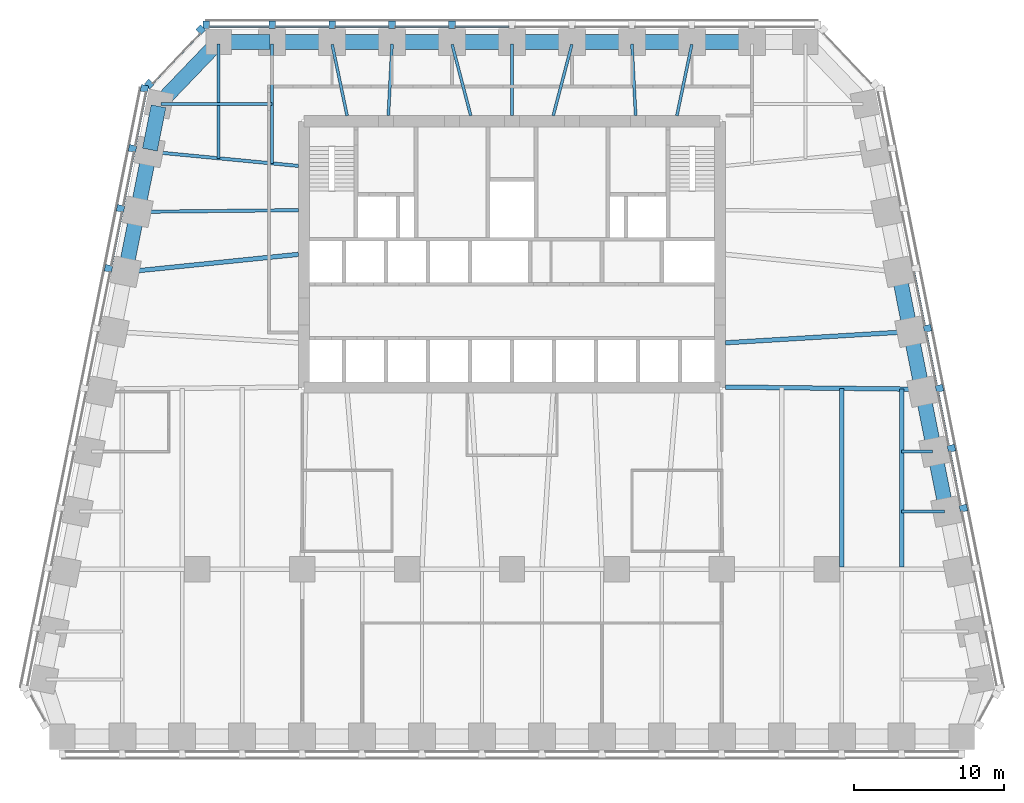
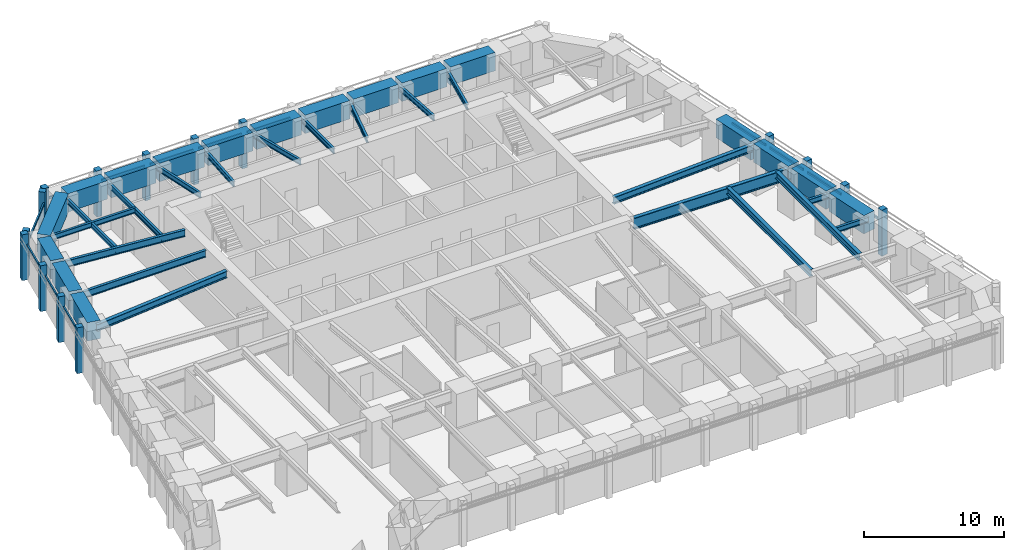
# One storey, part 3 of 9: 36 beams, 28 members, 4 elements without a shape of their own.
"""IFC4 building model written with IfcOpenShell, lengths in metres."""

from ifc_helpers import new_model, si_unit, direction, frame, origin, origin_2d, place, context, subcontext, project, spatial, rectangle, i_section, extrude, material, material_profile, profile_set, type_object, element, aggregate, save


model = new_model("IFC4")

# Units and contexts
model_context = context("Model", 3, precision=1e-05, world=origin(), true_north=direction((0.0, 1.0)))
body_context = subcontext(model_context, "Body", "Model", "MODEL_VIEW")
ifc_project = project(units=[si_unit("LENGTHUNIT", "METRE"), si_unit("AREAUNIT", "SQUARE_METRE"), si_unit("VOLUMEUNIT", "CUBIC_METRE"), si_unit("PLANEANGLEUNIT", "RADIAN"), si_unit("MASSUNIT", "GRAM", prefix="KILO")], contexts=[model_context])

# Site, building, storey
site_placement = place(None, origin())
site = spatial("IfcSite", under=ifc_project, at=site_placement, CompositionType="ELEMENT")
building_placement = place(site_placement, origin())
building = spatial("IfcBuilding", under=site, at=building_placement, Name="Isbrekke Arena Tower", CompositionType="ELEMENT")
storey_placement = place(building_placement, frame((0.0, 0.0, 135.0)))
storey = spatial("IfcBuildingStorey", under=building, at=storey_placement, Name="L30", CompositionType="ELEMENT", Elevation=135.0)

# Beams
ifc_material_1 = material(Name="Steel S355", Category="steel")
ifc_material_profile_1 = material_profile(ifc_material_1, i_section(OverallWidth=0.219970703125, OverallDepth=0.60009765625, WebThickness=0.011962890625, FlangeThickness=0.01904296875, FilletRadius=0.02392578125, at=origin_2d()), Name="IPE 600")
ifc_profile_set_1 = profile_set([ifc_material_profile_1], Name="Steel S355")
beam_type_1 = type_object("IfcBeamType", Name="B1 IPE 600", PredefinedType="BEAM", material=ifc_profile_set_1)
beam_1_placement = place(storey_placement, frame((-24.030517578125, 21.837158203125, 3.550048828125), z_axis=(0.995439798606, -0.095391862082, 0.0), x_axis=(0.095391862082, 0.995439798606, 0.0)))
element("IfcBeam", 1, at=beam_1_placement, inside=storey, type_object=beam_type_1, Name="B1 beam E-W02 L30", PredefinedType="BEAM", context=body_context, shape_type="SweptSolid", body=[
    extrude(i_section(OverallWidth=0.219970703125, OverallDepth=0.60009765625, WebThickness=0.011962890625, FlangeThickness=0.01904296875, FilletRadius=0.02392578125, at=origin_2d()), origin(), (0.0, 0.0, 1.0), 9.825439453125),
])
beam_2_placement = place(storey_placement, frame((-24.83984375, 17.838134765625, 3.550048828125), z_axis=(0.999944260169, 0.010558245831, 0.0), x_axis=(-0.010558245831, 0.999944260169, 0.0)))
element("IfcBeam", 2, at=beam_2_placement, inside=storey, type_object=beam_type_1, Name="B1 beam E-W03 L30", PredefinedType="BEAM", context=body_context, shape_type="SweptSolid", body=[
    extrude(i_section(OverallWidth=0.219970703125, OverallDepth=0.60009765625, WebThickness=0.011962890625, FlangeThickness=0.01904296875, FilletRadius=0.02392578125, at=origin_2d()), origin(), (0.0, 0.0, 1.0), 10.59033203125),
])
ifc_material_2 = material(Name="Steel S355", Category="steel")
ifc_material_profile_2 = material_profile(ifc_material_2, i_section(OverallWidth=0.18994140625, OverallDepth=0.449951171875, WebThickness=0.009521484375, FlangeThickness=0.0146484375, FilletRadius=0.02099609375, at=origin_2d()), Name="IPE 450")
ifc_profile_set_2 = profile_set([ifc_material_profile_2], Name="Steel S355")
beam_type_2 = type_object("IfcBeamType", Name="B2 IPE 450", PredefinedType="BEAM", material=ifc_profile_set_2)
beam_3_placement = place(storey_placement, frame((28.841064453125, -2.161865234375, 3.625), z_axis=(-1.0, 0.0, 0.0), x_axis=(0.0, -1.0, 0.0)))
element("IfcBeam", 3, at=beam_3_placement, inside=storey, type_object=beam_type_2, Name="B2 beam E-E04 L30", PredefinedType="BEAM", context=body_context, shape_type="SweptSolid", body=[
    extrude(i_section(OverallWidth=0.18994140625, OverallDepth=0.449951171875, WebThickness=0.009521484375, FlangeThickness=0.0146484375, FilletRadius=0.02099609375, at=origin_2d()), origin(), (0.0, 0.0, 1.0), 2.841064453125),
])
beam_4_placement = place(storey_placement, frame((28.041015625, 1.838134765625, 3.625), z_axis=(-1.0, 0.0, 0.0), x_axis=(0.0, -1.0, 0.0)))
element("IfcBeam", 4, at=beam_4_placement, inside=storey, type_object=beam_type_2, Name="B2 beam E-E05 L30", PredefinedType="BEAM", context=body_context, shape_type="SweptSolid", body=[
    extrude(i_section(OverallWidth=0.18994140625, OverallDepth=0.449951171875, WebThickness=0.009521484375, FlangeThickness=0.0146484375, FilletRadius=0.02099609375, at=origin_2d()), origin(), (0.0, 0.0, 1.0), 2.041015625),
])
beam_5_placement = place(storey_placement, frame((-23.40283203125, 25.029296875, 3.625), z_axis=(1.0, 0.0, 0.0), x_axis=(0.0, 1.0, 0.0)))
element("IfcBeam", 5, at=beam_5_placement, inside=storey, type_object=beam_type_2, Name="B2 beam E-W01 L30", PredefinedType="BEAM", context=body_context, shape_type="SweptSolid", body=[
    extrude(i_section(OverallWidth=0.18994140625, OverallDepth=0.449951171875, WebThickness=0.009521484375, FlangeThickness=0.0146484375, FilletRadius=0.02099609375, at=origin_2d()), origin(), (0.0, 0.0, 1.0), 7.40283203125),
])
ifc_material_3 = material(Name="Steel S355", Category="steel")
ifc_material_profile_3 = material_profile(ifc_material_3, i_section(OverallWidth=0.18994140625, OverallDepth=0.449951171875, WebThickness=0.009521484375, FlangeThickness=0.0146484375, FilletRadius=0.02099609375, at=origin_2d()), Name="IPE 450")
ifc_profile_set_3 = profile_set([ifc_material_profile_3], Name="Steel S355")
beam_type_3 = type_object("IfcBeamType", Name="B3 IPE 450", PredefinedType="BEAM", material=ifc_profile_set_3)
beam_6_placement = place(storey_placement, frame((-16.0, 29.02490234375, 3.625), z_axis=(0.0, -1.0, 0.0), x_axis=(1.0, 0.0, 0.0)))
element("IfcBeam", 6, at=beam_6_placement, inside=storey, type_object=beam_type_3, Name="B3 beam N-N10 L30", PredefinedType="BEAM", context=body_context, shape_type="SweptSolid", body=[
    extrude(i_section(OverallWidth=0.18994140625, OverallDepth=0.449951171875, WebThickness=0.009521484375, FlangeThickness=0.0146484375, FilletRadius=0.02099609375, at=origin_2d()), origin(), (0.0, 0.0, 1.0), 7.957275390625),
])
beam_7_placement = place(storey_placement, frame((-19.574951171875, 29.02490234375, 3.625), z_axis=(0.0, -1.0, 0.0), x_axis=(1.0, 0.0, 0.0)))
element("IfcBeam", 7, at=beam_7_placement, inside=storey, type_object=beam_type_3, Name="B3 beam N-N11 L30", PredefinedType="BEAM", context=body_context, shape_type="SweptSolid", body=[
    extrude(i_section(OverallWidth=0.18994140625, OverallDepth=0.449951171875, WebThickness=0.009521484375, FlangeThickness=0.0146484375, FilletRadius=0.02099609375, at=origin_2d()), origin(), (0.0, 0.0, 1.0), 7.61474609375),
])
beam_8_placement = place(storey_placement, frame((11.99609375, 29.005859375, 3.625), z_axis=(-0.20499748459, -0.978762499952, 0.0), x_axis=(0.978762499952, -0.20499748459, 0.0)))
element("IfcBeam", 8, at=beam_8_placement, inside=storey, type_object=beam_type_3, Name="B3 beam N-N03 L30", PredefinedType="BEAM", context=body_context, shape_type="SweptSolid", body=[
    extrude(i_section(OverallWidth=0.18994140625, OverallDepth=0.449951171875, WebThickness=0.009521484375, FlangeThickness=0.0146484375, FilletRadius=0.02099609375, at=origin_2d()), origin(), (0.0, 0.0, 1.0), 4.859130859375),
])
beam_9_placement = place(storey_placement, frame((8.000244140625, 29.02001953125, 3.625), z_axis=(0.052287879538, -0.998632053187, 0.0), x_axis=(0.998632053187, 0.052287879538, 0.0)))
element("IfcBeam", 9, at=beam_9_placement, inside=storey, type_object=beam_type_3, Name="B3 beam N-N04 L30", PredefinedType="BEAM", context=body_context, shape_type="SweptSolid", body=[
    extrude(i_section(OverallWidth=0.18994140625, OverallDepth=0.449951171875, WebThickness=0.009521484375, FlangeThickness=0.0146484375, FilletRadius=0.02099609375, at=origin_2d()), origin(), (0.0, 0.0, 1.0), 4.776611328125),
])
beam_10_placement = place(storey_placement, frame((3.993896484375, 29.001708984375, 3.625), z_axis=(-0.253245319824, -0.967402092197, 0.0), x_axis=(0.967402092197, -0.253245319824, 0.0)))
element("IfcBeam", 10, at=beam_10_placement, inside=storey, type_object=beam_type_3, Name="B3 beam N-N05 L30", PredefinedType="BEAM", context=body_context, shape_type="SweptSolid", body=[
    extrude(i_section(OverallWidth=0.18994140625, OverallDepth=0.449951171875, WebThickness=0.009521484375, FlangeThickness=0.0146484375, FilletRadius=0.02099609375, at=origin_2d()), origin(), (0.0, 0.0, 1.0), 4.911865234375),
])
beam_11_placement = place(storey_placement, frame((0.0, 29.02490234375, 3.625), z_axis=(0.0, -1.0, 0.0), x_axis=(1.0, 0.0, 0.0)))
element("IfcBeam", 11, at=beam_11_placement, inside=storey, type_object=beam_type_3, Name="B3 beam N-N06 L30", PredefinedType="BEAM", context=body_context, shape_type="SweptSolid", body=[
    extrude(i_section(OverallWidth=0.18994140625, OverallDepth=0.449951171875, WebThickness=0.009521484375, FlangeThickness=0.0146484375, FilletRadius=0.02099609375, at=origin_2d()), origin(), (0.0, 0.0, 1.0), 4.77490234375),
])
beam_12_placement = place(storey_placement, frame((-3.993896484375, 29.001708984375, 3.625), z_axis=(0.253245319824, -0.967402092197, 0.0), x_axis=(0.967402092197, 0.253245319824, 0.0)))
element("IfcBeam", 12, at=beam_12_placement, inside=storey, type_object=beam_type_3, Name="B3 beam N-N07 L30", PredefinedType="BEAM", context=body_context, shape_type="SweptSolid", body=[
    extrude(i_section(OverallWidth=0.18994140625, OverallDepth=0.449951171875, WebThickness=0.009521484375, FlangeThickness=0.0146484375, FilletRadius=0.02099609375, at=origin_2d()), origin(), (0.0, 0.0, 1.0), 4.911865234375),
])
beam_13_placement = place(storey_placement, frame((-8.000244140625, 29.02001953125, 3.625), z_axis=(-0.052287879538, -0.998632053187, 0.0), x_axis=(0.998632053187, -0.052287879538, 0.0)))
element("IfcBeam", 13, at=beam_13_placement, inside=storey, type_object=beam_type_3, Name="B3 beam N-N08 L30", PredefinedType="BEAM", context=body_context, shape_type="SweptSolid", body=[
    extrude(i_section(OverallWidth=0.18994140625, OverallDepth=0.449951171875, WebThickness=0.009521484375, FlangeThickness=0.0146484375, FilletRadius=0.02099609375, at=origin_2d()), origin(), (0.0, 0.0, 1.0), 4.776611328125),
])
beam_14_placement = place(storey_placement, frame((-11.99609375, 29.005859375, 3.625), z_axis=(0.20499748459, -0.978762499952, 0.0), x_axis=(0.978762499952, 0.20499748459, 0.0)))
element("IfcBeam", 14, at=beam_14_placement, inside=storey, type_object=beam_type_3, Name="B3 beam N-N09 L30", PredefinedType="BEAM", context=body_context, shape_type="SweptSolid", body=[
    extrude(i_section(OverallWidth=0.18994140625, OverallDepth=0.449951171875, WebThickness=0.009521484375, FlangeThickness=0.0146484375, FilletRadius=0.02099609375, at=origin_2d()), origin(), (0.0, 0.0, 1.0), 4.859130859375),
])
ifc_material_4 = material(Name="Steel S355", Category="steel")
ifc_material_profile_4 = material_profile(ifc_material_4, i_section(OverallWidth=0.300048828125, OverallDepth=0.60009765625, WebThickness=0.015380859375, FlangeThickness=0.030029296875, FilletRadius=0.027099609375, at=origin_2d()), Name="HEB 600")
ifc_profile_set_4 = profile_set([ifc_material_profile_4], Name="Steel S355")
beam_type_4 = type_object("IfcBeamType", Name="B7 HEB 600", PredefinedType="BEAM", material=ifc_profile_set_4)
beam_15_placement = place(storey_placement, frame((22.0, -5.84912109375, 3.550048828125), z_axis=(0.0, 1.0, 0.0), x_axis=(-1.0, 0.0, 0.0)))
element("IfcBeam", 15, at=beam_15_placement, inside=storey, type_object=beam_type_4, Name="B7 beam C-M13 L30", PredefinedType="BEAM", context=body_context, shape_type="SweptSolid", body=[
    extrude(i_section(OverallWidth=0.300048828125, OverallDepth=0.60009765625, WebThickness=0.015380859375, FlangeThickness=0.030029296875, FilletRadius=0.027099609375, at=origin_2d()), origin(), (0.0, 0.0, 1.0), 11.91064453125),
])
beam_16_placement = place(storey_placement, frame((26.0, -5.84912109375, 3.550048828125), z_axis=(0.0, 1.0, 0.0), x_axis=(-1.0, 0.0, 0.0)))
element("IfcBeam", 16, at=beam_16_placement, inside=storey, type_object=beam_type_4, Name="B7 beam C-M14 L30", PredefinedType="BEAM", context=body_context, shape_type="SweptSolid", body=[
    extrude(i_section(OverallWidth=0.300048828125, OverallDepth=0.60009765625, WebThickness=0.015380859375, FlangeThickness=0.030029296875, FilletRadius=0.027099609375, at=origin_2d()), origin(), (0.0, 0.0, 1.0), 11.864990234375),
])
beam_17_placement = place(storey_placement, frame((26.431884765625, 9.837646484375, 3.550048828125), z_axis=(-0.998172191876, -0.060434057993, 0.0), x_axis=(0.060434057993, -0.998172191876, 0.0)))
element("IfcBeam", 17, at=beam_17_placement, inside=storey, type_object=beam_type_4, Name="B7 beam E-E07 L30", PredefinedType="BEAM", context=body_context, shape_type="SweptSolid", body=[
    extrude(i_section(OverallWidth=0.300048828125, OverallDepth=0.60009765625, WebThickness=0.015380859375, FlangeThickness=0.030029296875, FilletRadius=0.027099609375, at=origin_2d()), origin(), (0.0, 0.0, 1.0), 12.2041015625),
])
beam_18_placement = place(storey_placement, frame((-25.6259765625, 13.83984375, 3.550048828125), z_axis=(0.994839949319, 0.10145676537, 0.0), x_axis=(-0.10145676537, 0.994839949319, 0.0)))
element("IfcBeam", 18, at=beam_18_placement, inside=storey, type_object=beam_type_4, Name="B7 beam E-W04 L30", PredefinedType="BEAM", context=body_context, shape_type="SweptSolid", body=[
    extrude(i_section(OverallWidth=0.300048828125, OverallDepth=0.60009765625, WebThickness=0.015380859375, FlangeThickness=0.030029296875, FilletRadius=0.027099609375, at=origin_2d()), origin(), (0.0, 0.0, 1.0), 11.43505859375),
])

# Curtain wall, members
ifc_material_5 = material(Name="Glazed aluminium curtain wall", Category="aluminium")
curtain_wall_type = type_object("IfcCurtainWallType", Name="CWM TOWER CURTAIN WALL MID ZONE", PredefinedType="USERDEFINED", material=ifc_material_5)
curtain_wall_1_placement = place(storey_placement, origin())
curtain_wall_1 = element("IfcCurtainWall", 19, at=curtain_wall_1_placement, inside=storey, type_object=curtain_wall_type, Name="CWM curtain wall L30-E", ObjectType="TOWER CURTAIN WALL MID ZONE", PredefinedType="USERDEFINED")
ifc_material_6 = material(Name="Aluminium mullion, pale brick slip cladding", Category="masonry")
ifc_material_profile_5 = material_profile(ifc_material_6, rectangle(XDim=0.449951171875, YDim=0.5, at=origin_2d()), Name="PIER 450X500")
ifc_profile_set_5 = profile_set([ifc_material_profile_5], Name="Aluminium mullion, pale brick slip cladding")
member_type_1 = type_object("IfcMemberType", Name="CWM-M PIER MULLION 450 x 500", PredefinedType="MULLION", material=ifc_profile_set_5)
member_1_placement = place(storey_placement, frame((30.11865234375, -1.936279296875, 0.0), z_axis=(0.0, 0.0, 1.0), x_axis=(-0.196116135138, 0.980580675691, 0.0)))
member_1 = element("IfcMember", 20, at=member_1_placement, type_object=member_type_1, Name="CWM-M mullion 4", PredefinedType="MULLION", context=body_context, shape_type="SweptSolid", body=[
    extrude(rectangle(XDim=0.449951171875, YDim=0.5, at=origin_2d()), origin(), (0.0, 0.0, 1.0), 4.0),
])
member_2_placement = place(storey_placement, frame((29.318603515625, 2.063720703125, 0.0), z_axis=(0.0, 0.0, 1.0), x_axis=(-0.196116135138, 0.980580675691, 0.0)))
member_2 = element("IfcMember", 21, at=member_2_placement, type_object=member_type_1, Name="CWM-M mullion 5", PredefinedType="MULLION", context=body_context, shape_type="SweptSolid", body=[
    extrude(rectangle(XDim=0.449951171875, YDim=0.5, at=origin_2d()), origin(), (0.0, 0.0, 1.0), 4.0),
])
member_3_placement = place(storey_placement, frame((28.518798828125, 6.063720703125, 0.0), z_axis=(0.0, 0.0, 1.0), x_axis=(-0.196116135138, 0.980580675691, 0.0)))
member_3 = element("IfcMember", 22, at=member_3_placement, type_object=member_type_1, Name="CWM-M mullion 6", PredefinedType="MULLION", context=body_context, shape_type="SweptSolid", body=[
    extrude(rectangle(XDim=0.449951171875, YDim=0.5, at=origin_2d()), origin(), (0.0, 0.0, 1.0), 4.0),
])
member_4_placement = place(storey_placement, frame((27.71875, 10.063720703125, 0.0), z_axis=(0.0, 0.0, 1.0), x_axis=(-0.196116135138, 0.980580675691, 0.0)))
member_4 = element("IfcMember", 23, at=member_4_placement, type_object=member_type_1, Name="CWM-M mullion 7", PredefinedType="MULLION", context=body_context, shape_type="SweptSolid", body=[
    extrude(rectangle(XDim=0.449951171875, YDim=0.5, at=origin_2d()), origin(), (0.0, 0.0, 1.0), 4.0),
])

curtain_wall_2_placement = place(storey_placement, origin())
curtain_wall_2 = element("IfcCurtainWall", 24, at=curtain_wall_2_placement, inside=storey, type_object=curtain_wall_type, Name="CWM curtain wall L30-N", ObjectType="TOWER CURTAIN WALL MID ZONE", PredefinedType="USERDEFINED")
member_5_placement = place(storey_placement, frame((-4.0, 30.324951171875, 0.0), z_axis=(0.0, 0.0, 1.0), x_axis=(-1.0, 0.0, 0.0)))
member_5 = element("IfcMember", 25, at=member_5_placement, type_object=member_type_1, Name="CWM-M mullion 7", PredefinedType="MULLION", context=body_context, shape_type="SweptSolid", body=[
    extrude(rectangle(XDim=0.449951171875, YDim=0.5, at=origin_2d()), origin(), (0.0, 0.0, 1.0), 4.0),
])
member_6_placement = place(storey_placement, frame((-8.0, 30.324951171875, 0.0), z_axis=(0.0, 0.0, 1.0), x_axis=(-1.0, 0.0, 0.0)))
member_6 = element("IfcMember", 26, at=member_6_placement, type_object=member_type_1, Name="CWM-M mullion 8", PredefinedType="MULLION", context=body_context, shape_type="SweptSolid", body=[
    extrude(rectangle(XDim=0.449951171875, YDim=0.5, at=origin_2d()), origin(), (0.0, 0.0, 1.0), 4.0),
])
member_7_placement = place(storey_placement, frame((-12.0, 30.324951171875, 0.0), z_axis=(0.0, 0.0, 1.0), x_axis=(-1.0, 0.0, 0.0)))
member_7 = element("IfcMember", 27, at=member_7_placement, type_object=member_type_1, Name="CWM-M mullion 9", PredefinedType="MULLION", context=body_context, shape_type="SweptSolid", body=[
    extrude(rectangle(XDim=0.449951171875, YDim=0.5, at=origin_2d()), origin(), (0.0, 0.0, 1.0), 4.0),
])
member_8_placement = place(storey_placement, frame((-16.0, 30.324951171875, 0.0), z_axis=(0.0, 0.0, 1.0), x_axis=(-1.0, 0.0, 0.0)))
member_8 = element("IfcMember", 28, at=member_8_placement, type_object=member_type_1, Name="CWM-M mullion 10", PredefinedType="MULLION", context=body_context, shape_type="SweptSolid", body=[
    extrude(rectangle(XDim=0.449951171875, YDim=0.5, at=origin_2d()), origin(), (0.0, 0.0, 1.0), 4.0),
])
member_9_placement = place(storey_placement, frame((-20.39990234375, 30.324951171875, 0.0), z_axis=(0.0, 0.0, 1.0), x_axis=(-1.0, 0.0, 0.0)))
member_9 = element("IfcMember", 29, at=member_9_placement, type_object=member_type_1, Name="CWM-M mullion 11", PredefinedType="MULLION", context=body_context, shape_type="SweptSolid", body=[
    extrude(rectangle(XDim=0.449951171875, YDim=0.5, at=origin_2d()), origin(), (0.0, 0.0, 1.0), 4.0),
])

curtain_wall_3_placement = place(storey_placement, origin())
curtain_wall_3 = element("IfcCurtainWall", 30, at=curtain_wall_3_placement, inside=storey, type_object=curtain_wall_type, Name="CWM curtain wall L30-NW", ObjectType="TOWER CURTAIN WALL MID ZONE", PredefinedType="USERDEFINED")
member_10_placement = place(storey_placement, frame((-20.759033203125, 29.985107421875, 0.0), z_axis=(0.0, 0.0, 1.0), x_axis=(-0.68874946192, -0.72499943359, 0.0)))
member_10 = element("IfcMember", 31, at=member_10_placement, type_object=member_type_1, Name="CWM-M mullion 1", PredefinedType="MULLION", context=body_context, shape_type="SweptSolid", body=[
    extrude(rectangle(XDim=0.449951171875, YDim=0.5, at=origin_2d()), origin(), (0.0, 0.0, 1.0), 4.0),
])
member_11_placement = place(storey_placement, frame((-24.207763671875, 26.35498046875, 0.0), z_axis=(0.0, 0.0, 1.0), x_axis=(-0.68874946192, -0.72499943359, 0.0)))
member_11 = element("IfcMember", 32, at=member_11_placement, type_object=member_type_1, Name="CWM-M mullion 2", PredefinedType="MULLION", context=body_context, shape_type="SweptSolid", body=[
    extrude(rectangle(XDim=0.449951171875, YDim=0.5, at=origin_2d()), origin(), (0.0, 0.0, 1.0), 4.0),
])

curtain_wall_4_placement = place(storey_placement, origin())
curtain_wall_4 = element("IfcCurtainWall", 33, at=curtain_wall_4_placement, inside=storey, type_object=curtain_wall_type, Name="CWM curtain wall L30-W", ObjectType="TOWER CURTAIN WALL MID ZONE", PredefinedType="USERDEFINED")
member_12_placement = place(storey_placement, frame((-24.518798828125, 26.063720703125, 0.0), z_axis=(0.0, 0.0, 1.0), x_axis=(-0.196116135138, -0.980580675691, 0.0)))
member_12 = element("IfcMember", 34, at=member_12_placement, type_object=member_type_1, Name="CWM-M mullion 1", PredefinedType="MULLION", context=body_context, shape_type="SweptSolid", body=[
    extrude(rectangle(XDim=0.449951171875, YDim=0.5, at=origin_2d()), origin(), (0.0, 0.0, 1.0), 4.0),
])
member_13_placement = place(storey_placement, frame((-25.318603515625, 22.063720703125, 0.0), z_axis=(0.0, 0.0, 1.0), x_axis=(-0.196116135138, -0.980580675691, 0.0)))
member_13 = element("IfcMember", 35, at=member_13_placement, type_object=member_type_1, Name="CWM-M mullion 2", PredefinedType="MULLION", context=body_context, shape_type="SweptSolid", body=[
    extrude(rectangle(XDim=0.449951171875, YDim=0.5, at=origin_2d()), origin(), (0.0, 0.0, 1.0), 4.0),
])
member_14_placement = place(storey_placement, frame((-26.11865234375, 18.063720703125, 0.0), z_axis=(0.0, 0.0, 1.0), x_axis=(-0.196116135138, -0.980580675691, 0.0)))
member_14 = element("IfcMember", 36, at=member_14_placement, type_object=member_type_1, Name="CWM-M mullion 3", PredefinedType="MULLION", context=body_context, shape_type="SweptSolid", body=[
    extrude(rectangle(XDim=0.449951171875, YDim=0.5, at=origin_2d()), origin(), (0.0, 0.0, 1.0), 4.0),
])
member_15_placement = place(storey_placement, frame((-26.918701171875, 14.063720703125, 0.0), z_axis=(0.0, 0.0, 1.0), x_axis=(-0.196116135138, -0.980580675691, 0.0)))
member_15 = element("IfcMember", 37, at=member_15_placement, type_object=member_type_1, Name="CWM-M mullion 4", PredefinedType="MULLION", context=body_context, shape_type="SweptSolid", body=[
    extrude(rectangle(XDim=0.449951171875, YDim=0.5, at=origin_2d()), origin(), (0.0, 0.0, 1.0), 4.0),
])

# Member
ifc_material_7 = material(Name="Aluminium transom", Category="aluminium")
ifc_material_profile_6 = material_profile(ifc_material_7, rectangle(XDim=0.1201171875, YDim=0.199951171875, at=origin_2d()), Name="TRANSOM 120X200")
ifc_profile_set_6 = profile_set([ifc_material_profile_6], Name="Aluminium transom")
member_type_2 = type_object("IfcMemberType", Name="CWM-T TRANSOM 120 x 200", PredefinedType="USERDEFINED", material=ifc_profile_set_6)
member_16_placement = place(storey_placement, frame((29.927490234375, -1.7451171875, 3.0), z_axis=(-0.196090262229, 0.980585849918, 0.0), x_axis=(-0.980585849918, -0.196090262229, 0.0)))
member_16 = element("IfcMember", 38, at=member_16_placement, type_object=member_type_2, Name="CWM-T transom 4", ObjectType="TRANSOM", PredefinedType="USERDEFINED", context=body_context, shape_type="SweptSolid", body=[
    extrude(rectangle(XDim=0.1201171875, YDim=0.199951171875, at=origin_2d()), origin(), (0.0, 0.0, 1.0), 3.62939453125),
])

member_17_placement = place(storey_placement, frame((29.12744140625, 2.2548828125, 3.0), z_axis=(-0.196090262229, 0.980585849918, 0.0), x_axis=(-0.980585849918, -0.196090262229, 0.0)))
member_17 = element("IfcMember", 39, at=member_17_placement, type_object=member_type_2, Name="CWM-T transom 5", ObjectType="TRANSOM", PredefinedType="USERDEFINED", context=body_context, shape_type="SweptSolid", body=[
    extrude(rectangle(XDim=0.1201171875, YDim=0.199951171875, at=origin_2d()), origin(), (0.0, 0.0, 1.0), 3.62939453125),
])

member_18_placement = place(storey_placement, frame((28.327392578125, 6.2548828125, 3.0), z_axis=(-0.196090262229, 0.980585849918, 0.0), x_axis=(-0.980585849918, -0.196090262229, 0.0)))
member_18 = element("IfcMember", 40, at=member_18_placement, type_object=member_type_2, Name="CWM-T transom 6", ObjectType="TRANSOM", PredefinedType="USERDEFINED", context=body_context, shape_type="SweptSolid", body=[
    extrude(rectangle(XDim=0.1201171875, YDim=0.199951171875, at=origin_2d()), origin(), (0.0, 0.0, 1.0), 3.62939453125),
])

member_19_placement = place(storey_placement, frame((27.527587890625, 10.2548828125, 3.0), z_axis=(-0.196154943734, 0.980572913173, 0.0), x_axis=(-0.980572913173, -0.196154943734, 0.0)))
member_19 = element("IfcMember", 41, at=member_19_placement, type_object=member_type_2, Name="CWM-T transom 7", ObjectType="TRANSOM", PredefinedType="USERDEFINED", context=body_context, shape_type="SweptSolid", body=[
    extrude(rectangle(XDim=0.1201171875, YDim=0.199951171875, at=origin_2d()), origin(), (0.0, 0.0, 1.0), 3.62939453125),
])

aggregate(curtain_wall_1, [member_1, member_2, member_3, member_4, member_16, member_17, member_18, member_19])

member_20_placement = place(storey_placement, frame((-0.22509765625, 30.175048828125, 3.0), z_axis=(-1.0, 0.0, 0.0), x_axis=(0.0, -1.0, 0.0)))
member_20 = element("IfcMember", 42, at=member_20_placement, type_object=member_type_2, Name="CWM-T transom 6", ObjectType="TRANSOM", PredefinedType="USERDEFINED", context=body_context, shape_type="SweptSolid", body=[
    extrude(rectangle(XDim=0.1201171875, YDim=0.199951171875, at=origin_2d()), origin(), (0.0, 0.0, 1.0), 3.5498046875),
])

member_21_placement = place(storey_placement, frame((-4.22509765625, 30.175048828125, 3.0), z_axis=(-1.0, 0.0, 0.0), x_axis=(0.0, -1.0, 0.0)))
member_21 = element("IfcMember", 43, at=member_21_placement, type_object=member_type_2, Name="CWM-T transom 7", ObjectType="TRANSOM", PredefinedType="USERDEFINED", context=body_context, shape_type="SweptSolid", body=[
    extrude(rectangle(XDim=0.1201171875, YDim=0.199951171875, at=origin_2d()), origin(), (0.0, 0.0, 1.0), 3.5498046875),
])

member_22_placement = place(storey_placement, frame((-8.22509765625, 30.175048828125, 3.0), z_axis=(-1.0, 0.0, 0.0), x_axis=(0.0, -1.0, 0.0)))
member_22 = element("IfcMember", 44, at=member_22_placement, type_object=member_type_2, Name="CWM-T transom 8", ObjectType="TRANSOM", PredefinedType="USERDEFINED", context=body_context, shape_type="SweptSolid", body=[
    extrude(rectangle(XDim=0.1201171875, YDim=0.199951171875, at=origin_2d()), origin(), (0.0, 0.0, 1.0), 3.5498046875),
])

member_23_placement = place(storey_placement, frame((-12.22509765625, 30.175048828125, 3.0), z_axis=(-1.0, 0.0, 0.0), x_axis=(0.0, -1.0, 0.0)))
member_23 = element("IfcMember", 45, at=member_23_placement, type_object=member_type_2, Name="CWM-T transom 9", ObjectType="TRANSOM", PredefinedType="USERDEFINED", context=body_context, shape_type="SweptSolid", body=[
    extrude(rectangle(XDim=0.1201171875, YDim=0.199951171875, at=origin_2d()), origin(), (0.0, 0.0, 1.0), 3.5498046875),
])

member_24_placement = place(storey_placement, frame((-16.22509765625, 30.175048828125, 3.0), z_axis=(-1.0, 0.0, 0.0), x_axis=(0.0, -1.0, 0.0)))
member_24 = element("IfcMember", 46, at=member_24_placement, type_object=member_type_2, Name="CWM-T transom 10", ObjectType="TRANSOM", PredefinedType="USERDEFINED", context=body_context, shape_type="SweptSolid", body=[
    extrude(rectangle(XDim=0.1201171875, YDim=0.199951171875, at=origin_2d()), origin(), (0.0, 0.0, 1.0), 3.949951171875),
])

aggregate(curtain_wall_2, [member_5, member_6, member_7, member_8, member_9, member_20, member_21, member_22, member_23, member_24])

member_25_placement = place(storey_placement, frame((-20.80517578125, 29.71875, 3.0), z_axis=(-0.688739606035, -0.725008796552, 0.0), x_axis=(0.725008796552, -0.688739606035, 0.0)))
member_25 = element("IfcMember", 47, at=member_25_placement, type_object=member_type_2, Name="CWM-T transom 1", ObjectType="TRANSOM", PredefinedType="USERDEFINED", context=body_context, shape_type="SweptSolid", body=[
    extrude(rectangle(XDim=0.1201171875, YDim=0.199951171875, at=origin_2d()), origin(), (0.0, 0.0, 1.0), 4.55712890625),
])

aggregate(curtain_wall_3, [member_10, member_11, member_25])

member_26_placement = place(storey_placement, frame((-24.415771484375, 25.813720703125, 3.0), z_axis=(-0.196090262229, -0.980585849918, 0.0), x_axis=(0.980585849918, -0.196090262229, 0.0)))
member_26 = element("IfcMember", 48, at=member_26_placement, type_object=member_type_2, Name="CWM-T transom 1", ObjectType="TRANSOM", PredefinedType="USERDEFINED", context=body_context, shape_type="SweptSolid", body=[
    extrude(rectangle(XDim=0.1201171875, YDim=0.199951171875, at=origin_2d()), origin(), (0.0, 0.0, 1.0), 3.62939453125),
])

member_27_placement = place(storey_placement, frame((-25.2158203125, 21.813720703125, 3.0), z_axis=(-0.196090262229, -0.980585849918, 0.0), x_axis=(0.980585849918, -0.196090262229, 0.0)))
member_27 = element("IfcMember", 49, at=member_27_placement, type_object=member_type_2, Name="CWM-T transom 2", ObjectType="TRANSOM", PredefinedType="USERDEFINED", context=body_context, shape_type="SweptSolid", body=[
    extrude(rectangle(XDim=0.1201171875, YDim=0.199951171875, at=origin_2d()), origin(), (0.0, 0.0, 1.0), 3.62939453125),
])

member_28_placement = place(storey_placement, frame((-26.015625, 17.813720703125, 3.0), z_axis=(-0.196154943734, -0.980572913173, 0.0), x_axis=(0.980572913173, -0.196154943734, 0.0)))
member_28 = element("IfcMember", 50, at=member_28_placement, type_object=member_type_2, Name="CWM-T transom 3", ObjectType="TRANSOM", PredefinedType="USERDEFINED", context=body_context, shape_type="SweptSolid", body=[
    extrude(rectangle(XDim=0.1201171875, YDim=0.199951171875, at=origin_2d()), origin(), (0.0, 0.0, 1.0), 3.62939453125),
])

aggregate(curtain_wall_4, [member_12, member_13, member_14, member_15, member_26, member_27, member_28])

# Beams
ifc_material_8 = material(Name="Steel S355", Category="steel")
ifc_material_profile_7 = material_profile(ifc_material_8, i_section(OverallWidth=0.302001953125, OverallDepth=1.008056640625, WebThickness=0.02099609375, FlangeThickness=0.0400390625, FilletRadius=0.030029296875, at=origin_2d()), Name="HEM 1000")
ifc_profile_set_7 = profile_set([ifc_material_profile_7], Name="Steel S355")
beam_type_5 = type_object("IfcBeamType", Name="G2 HEM 1000", PredefinedType="BEAM", material=ifc_profile_set_7)
beam_19_placement = place(storey_placement, frame((14.25, 6.14990234375, 3.345947265625), z_axis=(0.999934928157, -0.011407867963, 0.0), x_axis=(0.011407867963, 0.999934928157, 0.0)))
element("IfcBeam", 51, at=beam_19_placement, inside=storey, type_object=beam_type_5, Name="G2 beam G2-E L30", PredefinedType="BEAM", context=body_context, shape_type="SweptSolid", body=[
    extrude(i_section(OverallWidth=0.302001953125, OverallDepth=1.008056640625, WebThickness=0.02099609375, FlangeThickness=0.0400390625, FilletRadius=0.030029296875, at=origin_2d()), origin(), (0.0, 0.0, 1.0), 13.140380859375),
])
ifc_material_9 = material(Name="Concrete B80 (C80/95)", Category="concrete")
ifc_material_profile_8 = material_profile(ifc_material_9, rectangle(XDim=1.0, YDim=1.60009765625, at=origin_2d()), Name="RC 1000x1600")
ifc_profile_set_8 = profile_set([ifc_material_profile_8], Name="Concrete B80 (C80/95)")
beam_type_6 = type_object("IfcBeamType", Name="SB2 RC 1000 x 1600", PredefinedType="SPANDREL", material=ifc_profile_set_8)
for number, where, z_axis, x_axis, name in (
    (52, (28.961669921875, -2.0146484375, 3.199951171875), (-0.196128558387, 0.980578190959, 0.0), (-0.980578190959, -0.196128558387, 0.0), "SB2 spandrel E04-E05 L30"),
    (53, (28.16162109375, 1.9853515625, 3.199951171875), (-0.196128558387, 0.980578190959, 0.0), (-0.980578190959, -0.196128558387, 0.0), "SB2 spandrel E05-E06 L30"),
    (54, (27.361572265625, 5.9853515625, 3.199951171875), (-0.196128558387, 0.980578190959, 0.0), (-0.980578190959, -0.196128558387, 0.0), "SB2 spandrel E06-E07 L30"),
):
    element("IfcBeam", number, at=place(storey_placement, frame(where, z_axis=z_axis, x_axis=x_axis)), inside=storey, type_object=beam_type_6, Name=name, PredefinedType="SPANDREL", context=body_context, shape_type="SweptSolid", body=[
        extrude(rectangle(XDim=1.0, YDim=1.60009765625, at=origin_2d()), origin(), (0.0, 0.0, 1.0), 3.779296875),
    ])
beam_20_placement = place(storey_placement, frame((26.5615234375, 9.9853515625, 3.199951171875), z_axis=(-0.1960664412, 0.980590613169, 0.0), x_axis=(-0.980590613169, -0.1960664412, 0.0)))
element("IfcBeam", 55, at=beam_20_placement, inside=storey, type_object=beam_type_6, Name="SB2 spandrel E07-E08 L30", PredefinedType="SPANDREL", context=body_context, shape_type="SweptSolid", body=[
    extrude(rectangle(XDim=1.0, YDim=1.60009765625, at=origin_2d()), origin(), (0.0, 0.0, 1.0), 3.779052734375),
])
for number, where, z_axis, x_axis, name in (
    (56, (15.85009765625, 29.175048828125, 3.199951171875), (-1.0, 0.0, 0.0), (0.0, -1.0, 0.0), "SB2 spandrel N02-N03 L30"),
    (57, (11.85009765625, 29.175048828125, 3.199951171875), (-1.0, 0.0, 0.0), (0.0, -1.0, 0.0), "SB2 spandrel N03-N04 L30"),
    (58, (7.85009765625, 29.175048828125, 3.199951171875), (-1.0, 0.0, 0.0), (0.0, -1.0, 0.0), "SB2 spandrel N04-N05 L30"),
    (59, (3.85009765625, 29.175048828125, 3.199951171875), (-1.0, 0.0, 0.0), (0.0, -1.0, 0.0), "SB2 spandrel N05-N06 L30"),
    (60, (-0.14990234375, 29.175048828125, 3.199951171875), (-1.0, 0.0, 0.0), (0.0, -1.0, 0.0), "SB2 spandrel N06-N07 L30"),
    (61, (-4.14990234375, 29.175048828125, 3.199951171875), (-1.0, 0.0, 0.0), (0.0, -1.0, 0.0), "SB2 spandrel N07-N08 L30"),
    (62, (-8.14990234375, 29.175048828125, 3.199951171875), (-1.0, 0.0, 0.0), (0.0, -1.0, 0.0), "SB2 spandrel N08-N09 L30"),
    (63, (-12.14990234375, 29.175048828125, 3.199951171875), (-1.0, 0.0, 0.0), (0.0, -1.0, 0.0), "SB2 spandrel N09-N10 L30"),
):
    element("IfcBeam", number, at=place(storey_placement, frame(where, z_axis=z_axis, x_axis=x_axis)), inside=storey, type_object=beam_type_6, Name=name, PredefinedType="SPANDREL", context=body_context, shape_type="SweptSolid", body=[
        extrude(rectangle(XDim=1.0, YDim=1.60009765625, at=origin_2d()), origin(), (0.0, 0.0, 1.0), 3.7001953125),
    ])
beam_21_placement = place(storey_placement, frame((-16.14990234375, 29.175048828125, 3.199951171875), z_axis=(-1.0, 0.0, 0.0), x_axis=(0.0, -1.0, 0.0)))
element("IfcBeam", 64, at=beam_21_placement, inside=storey, type_object=beam_type_6, Name="SB2 spandrel N10-N11 L30", PredefinedType="SPANDREL", context=body_context, shape_type="SweptSolid", body=[
    extrude(rectangle(XDim=1.0, YDim=1.60009765625, at=origin_2d()), origin(), (0.0, 0.0, 1.0), 3.275146484375),
])
beam_22_placement = place(storey_placement, frame((-19.678955078125, 29.066650390625, 3.199951171875), z_axis=(-0.692339547635, -0.721571861134, 0.0), x_axis=(0.721571861134, -0.692339547635, 0.0)))
element("IfcBeam", 65, at=beam_22_placement, inside=storey, type_object=beam_type_6, Name="SB2 spandrel N11-W01 L30", PredefinedType="SPANDREL", context=body_context, shape_type="SweptSolid", body=[
    extrude(rectangle(XDim=1.0, YDim=1.60009765625, at=origin_2d()), origin(), (0.0, 0.0, 1.0), 5.4453125),
])
beam_23_placement = place(storey_placement, frame((-23.582275390625, 24.882080078125, 3.199951171875), z_axis=(-0.196116135138, -0.980580675691, 0.0), x_axis=(0.980580675691, -0.196116135138, 0.0)))
element("IfcBeam", 66, at=beam_23_placement, inside=storey, type_object=beam_type_6, Name="SB2 spandrel W01-W02 L30", PredefinedType="SPANDREL", context=body_context, shape_type="SweptSolid", body=[
    extrude(rectangle(XDim=1.0, YDim=1.60009765625, at=origin_2d()), origin(), (0.0, 0.0, 1.0), 2.9541015625),
])
for number, where, z_axis, x_axis, name in (
    (67, (-24.220458984375, 21.691162109375, 3.199951171875), (-0.196128558387, -0.980578190959, 0.0), (0.980578190959, -0.196128558387, 0.0), "SB2 spandrel W02-W03 L30"),
    (68, (-25.0205078125, 17.691162109375, 3.199951171875), (-0.196128558387, -0.980578190959, 0.0), (0.980578190959, -0.196128558387, 0.0), "SB2 spandrel W03-W04 L30"),
):
    element("IfcBeam", number, at=place(storey_placement, frame(where, z_axis=z_axis, x_axis=x_axis)), inside=storey, type_object=beam_type_6, Name=name, PredefinedType="SPANDREL", context=body_context, shape_type="SweptSolid", body=[
        extrude(rectangle(XDim=1.0, YDim=1.60009765625, at=origin_2d()), origin(), (0.0, 0.0, 1.0), 3.779296875),
    ])

save(model, "model.ifc")
